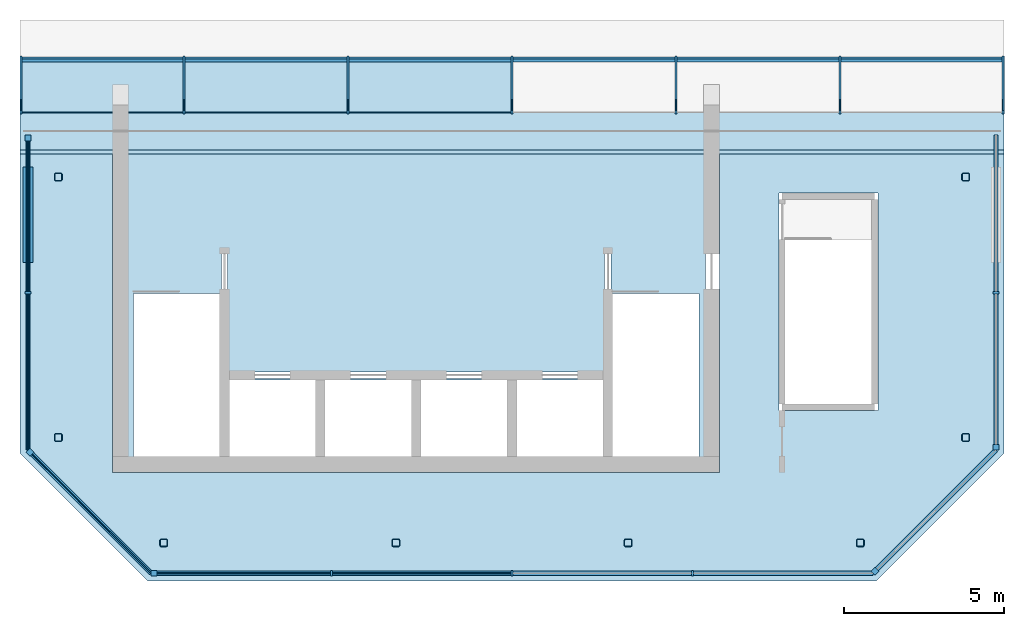
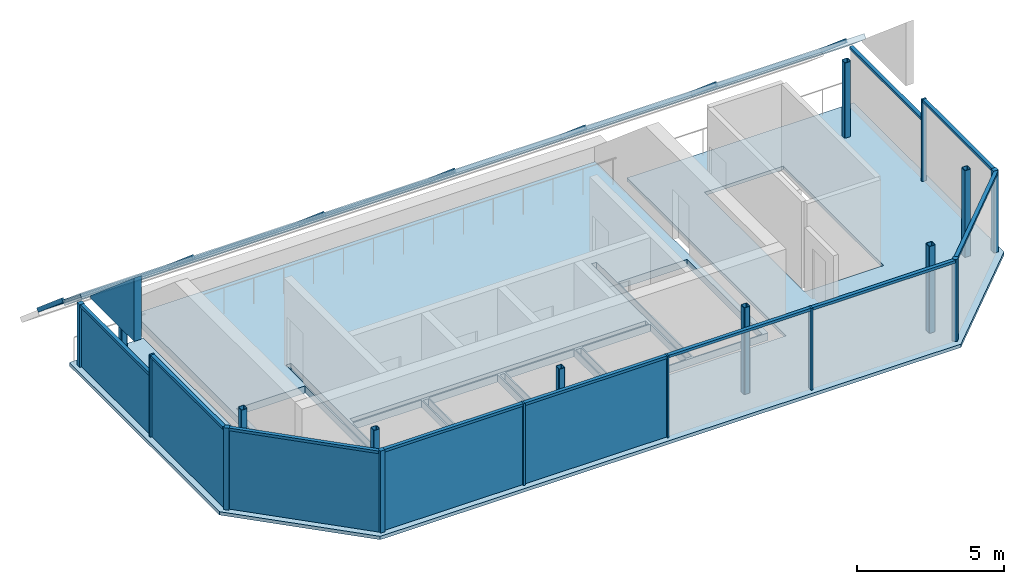
# One storey, part 1 of 3: 33 members, 9 plates, 8 columns, 3 slabs, 6 elements without a shape of their own.
"""IFC4 building model written with IfcOpenShell, lengths in metres."""

from ifc_helpers import new_model, si_unit, direction, frame, origin, origin_2d, place, context, subcontext, project, spatial, polyline, rectangle, hollow_rectangle, outline, extrude, material, layer, layer_set, material_profile, profile_set, type_object, element, aggregate, save


model = new_model("IFC4")

# Units and contexts
model_context = context("Model", 3, precision=1e-05, world=origin(), true_north=direction((0.0, 1.0)))
body_context = subcontext(model_context, "Body", "Model", "MODEL_VIEW")
ifc_project = project(units=[si_unit("LENGTHUNIT", "METRE"), si_unit("AREAUNIT", "SQUARE_METRE"), si_unit("VOLUMEUNIT", "CUBIC_METRE"), si_unit("PLANEANGLEUNIT", "RADIAN"), si_unit("MASSUNIT", "GRAM", prefix="KILO")], contexts=[model_context])

# Site, building, storey
site_placement = place(None, origin())
site = spatial("IfcSite", under=ifc_project, at=site_placement, CompositionType="ELEMENT")
building_placement = place(site_placement, origin())
building = spatial("IfcBuilding", under=site, at=building_placement, Name="Tskaro Facet Tower", CompositionType="ELEMENT")
storey_placement = place(building_placement, frame((0.0, 0.0, 311.699951171875)))
storey = spatial("IfcBuildingStorey", under=building, at=storey_placement, Name="L84", CompositionType="ELEMENT", Elevation=311.699951171875)

# Columns
ifc_material_1 = material(Name="Steel S355J2H", Category="steel")
ifc_material_profile_1 = material_profile(ifc_material_1, hollow_rectangle(XDim=0.25, YDim=0.25, WallThickness=0.02001953125, InnerFilletRadius=0.030029296875, OuterFilletRadius=0.050048828125, at=origin_2d()), Name="SHS 250x250x20")
ifc_profile_set_1 = profile_set([ifc_material_profile_1], Name="Steel S355J2H")
column_type = type_object("IfcColumnType", Name="SHS 250x250x20 ring column", PredefinedType="COLUMN", material=ifc_profile_set_1)
for number, where, z_axis, x_axis, name in (
    (1, (-7.903076171875, -14.199951171875, 0.0), (0.0, 0.0, 1.0), (1.0, 0.0, 0.0), "SHS 250x250x20 RS-1/6"),
    (2, (-0.634033203125, -14.199951171875, 0.0), (0.0, 0.0, 1.0), (1.0, 0.0, 0.0), "SHS 250x250x20 RS-2/6"),
    (3, (6.634033203125, -14.199951171875, 0.0), (0.0, 0.0, 1.0), (1.0, 0.0, 0.0), "SHS 250x250x20 RS-3/6"),
    (4, (13.903076171875, -14.199951171875, 0.0), (0.0, 0.0, 1.0), (1.0, 0.0, 0.0), "SHS 250x250x20 RSE-1/6"),
    (5, (17.199951171875, -10.903076171875, 0.0), (0.0, 0.0, 1.0), (1.0, 0.0, 0.0), "SHS 250x250x20 RE-1/6"),
):
    element("IfcColumn", number, at=place(storey_placement, frame(where, z_axis=z_axis, x_axis=x_axis)), inside=storey, type_object=column_type, Name=name, PredefinedType="COLUMN", context=body_context, shape_type="SweptSolid", body=[
        extrude(hollow_rectangle(XDim=0.25, YDim=0.25, WallThickness=0.02001953125, InnerFilletRadius=0.030029296875, OuterFilletRadius=0.050048828125, at=origin_2d()), origin(), (0.0, 0.0, 1.0), 3.60009765625),
    ])
for number, where, z_axis, x_axis, name in (
    (6, (17.199951171875, -2.75, 0.0), (0.0, 0.0, 1.0), (1.0, 0.0, 0.0), "SHS 250x250x20 RE-2/6"),
    (7, (-11.199951171875, -2.75, 0.0), (0.0, 0.0, 1.0), (1.0, 0.0, 0.0), "SHS 250x250x20 RW-2/6"),
):
    element("IfcColumn", number, at=place(storey_placement, frame(where, z_axis=z_axis, x_axis=x_axis)), inside=storey, type_object=column_type, Name=name, PredefinedType="COLUMN", context=body_context, shape_type="SweptSolid", body=[
        extrude(hollow_rectangle(XDim=0.25, YDim=0.25, WallThickness=0.02001953125, InnerFilletRadius=0.030029296875, OuterFilletRadius=0.050048828125, at=origin_2d()), origin(), (0.0, 0.0, 1.0), 3.1220703125),
    ])
column_placement = place(storey_placement, frame((-11.199951171875, -10.903076171875, 0.0), z_axis=(0.0, 0.0, 1.0), x_axis=(1.0, 0.0, 0.0)))
element("IfcColumn", 8, at=column_placement, inside=storey, type_object=column_type, Name="SHS 250x250x20 RSW-1/6", PredefinedType="COLUMN", context=body_context, shape_type="SweptSolid", body=[
    extrude(hollow_rectangle(XDim=0.25, YDim=0.25, WallThickness=0.02001953125, InnerFilletRadius=0.030029296875, OuterFilletRadius=0.050048828125, at=origin_2d()), origin(), (0.0, 0.0, 1.0), 3.60009765625),
])

# Curtain wall, member
ifc_material_2 = material(Name="Bronze anodised aluminium 6063-T6", Category="aluminium")
curtain_wall_type_1 = type_object("IfcCurtainWallType", Name="Bronze crown curtain wall (FW5)", PredefinedType="NOTDEFINED", material=ifc_material_2)
curtain_wall_1_placement = place(storey_placement, origin())
curtain_wall_1 = element("IfcCurtainWall", 9, at=curtain_wall_1_placement, inside=storey, type_object=curtain_wall_type_1, Name="FW5 south facet L84", PredefinedType="NOTDEFINED")
ifc_material_profile_2 = material_profile(ifc_material_2, rectangle(XDim=0.179931640625, YDim=0.179931640625, at=origin_2d()), Name="Corner post 180x180")
ifc_profile_set_2 = profile_set([ifc_material_profile_2], Name="Bronze anodised aluminium 6063-T6")
member_type_1 = type_object("IfcMemberType", Name="FW5 bronze corner post 180x180", PredefinedType="MULLION", material=ifc_profile_set_2)
member_1_placement = place(storey_placement, frame((-8.2060546875, -15.14990234375, 0.0), z_axis=(0.0, 0.0, 1.0), x_axis=(1.0, 0.0, 0.0)))
member_1 = element("IfcMember", 10, at=member_1_placement, type_object=member_type_1, Name="FW5 south corner post", PredefinedType="MULLION", context=body_context, shape_type="SweptSolid", body=[
    extrude(rectangle(XDim=0.179931640625, YDim=0.179931640625, at=origin_2d()), origin(), (0.0, 0.0, 1.0), 3.400146484375),
])

curtain_wall_2_placement = place(storey_placement, origin())
curtain_wall_2 = element("IfcCurtainWall", 11, at=curtain_wall_2_placement, inside=storey, type_object=curtain_wall_type_1, Name="FW5 south-east facet L84", PredefinedType="NOTDEFINED")
member_2_placement = place(storey_placement, frame((14.359619140625, -15.08642578125, 0.0), z_axis=(0.0, 0.0, 1.0), x_axis=(0.707106781187, 0.707106781187, 0.0)))
member_2 = element("IfcMember", 12, at=member_2_placement, type_object=member_type_1, Name="FW5 south-east corner post", PredefinedType="MULLION", context=body_context, shape_type="SweptSolid", body=[
    extrude(rectangle(XDim=0.179931640625, YDim=0.179931640625, at=origin_2d()), origin(), (0.0, 0.0, 1.0), 3.400146484375),
])

curtain_wall_3_placement = place(storey_placement, origin())
curtain_wall_3 = element("IfcCurtainWall", 13, at=curtain_wall_3_placement, inside=storey, type_object=curtain_wall_type_1, Name="FW5 east facet L84", PredefinedType="NOTDEFINED")
member_3_placement = place(storey_placement, frame((18.14990234375, -11.2060546875, 0.0), z_axis=(0.0, 0.0, 1.0), x_axis=(0.0, 1.0, 0.0)))
member_3 = element("IfcMember", 14, at=member_3_placement, type_object=member_type_1, Name="FW5 east corner post", PredefinedType="MULLION", context=body_context, shape_type="SweptSolid", body=[
    extrude(rectangle(XDim=0.179931640625, YDim=0.179931640625, at=origin_2d()), origin(), (0.0, 0.0, 1.0), 3.400146484375),
])

curtain_wall_4_placement = place(storey_placement, origin())
curtain_wall_4 = element("IfcCurtainWall", 15, at=curtain_wall_4_placement, inside=storey, type_object=curtain_wall_type_1, Name="FW5 west facet L84", PredefinedType="NOTDEFINED")
member_4_placement = place(storey_placement, frame((-12.14990234375, -1.528076171875, 0.0), z_axis=(0.0, 0.0, 1.0), x_axis=(0.0, -1.0, 0.0)))
member_4 = element("IfcMember", 16, at=member_4_placement, type_object=member_type_1, Name="FW5 west corner post", PredefinedType="MULLION", context=body_context, shape_type="SweptSolid", body=[
    extrude(rectangle(XDim=0.179931640625, YDim=0.179931640625, at=origin_2d()), origin(), (0.0, 0.0, 1.0), 2.599853515625),
])

curtain_wall_5_placement = place(storey_placement, origin())
curtain_wall_5 = element("IfcCurtainWall", 17, at=curtain_wall_5_placement, inside=storey, type_object=curtain_wall_type_1, Name="FW5 south-west facet L84", PredefinedType="NOTDEFINED")
member_5_placement = place(storey_placement, frame((-12.08642578125, -11.359619140625, 0.0), z_axis=(0.0, 0.0, 1.0), x_axis=(0.707106781187, -0.707106781187, 0.0)))
member_5 = element("IfcMember", 18, at=member_5_placement, type_object=member_type_1, Name="FW5 south-west corner post", PredefinedType="MULLION", context=body_context, shape_type="SweptSolid", body=[
    extrude(rectangle(XDim=0.179931640625, YDim=0.179931640625, at=origin_2d()), origin(), (0.0, 0.0, 1.0), 3.400146484375),
])

# Member
ifc_material_profile_3 = material_profile(ifc_material_2, rectangle(XDim=0.070068359375, YDim=0.179931640625, at=origin_2d()), Name="Mullion 70x180")
ifc_profile_set_3 = profile_set([ifc_material_profile_3], Name="Bronze anodised aluminium 6063-T6")
member_type_2 = type_object("IfcMemberType", Name="FW5 bronze mullion 70x180", PredefinedType="MULLION", material=ifc_profile_set_3)
member_6_placement = place(storey_placement, frame((-2.64794921875, -15.14990234375, 0.0), z_axis=(0.0, 0.0, 1.0), x_axis=(1.0, 0.0, 0.0)))
member_6 = element("IfcMember", 19, at=member_6_placement, type_object=member_type_2, Name="FW5 south mullion 1", PredefinedType="MULLION", context=body_context, shape_type="SweptSolid", body=[
    extrude(rectangle(XDim=0.070068359375, YDim=0.179931640625, at=origin_2d()), origin(), (0.0, 0.0, 1.0), 3.400146484375),
])

member_7_placement = place(storey_placement, frame((3.0, -15.14990234375, 0.0), z_axis=(0.0, 0.0, 1.0), x_axis=(1.0, 0.0, 0.0)))
member_7 = element("IfcMember", 20, at=member_7_placement, type_object=member_type_2, Name="FW5 south mullion 2", PredefinedType="MULLION", context=body_context, shape_type="SweptSolid", body=[
    extrude(rectangle(XDim=0.070068359375, YDim=0.179931640625, at=origin_2d()), origin(), (0.0, 0.0, 1.0), 3.400146484375),
])

member_8_placement = place(storey_placement, frame((8.64794921875, -15.14990234375, 0.0), z_axis=(0.0, 0.0, 1.0), x_axis=(1.0, 0.0, 0.0)))
member_8 = element("IfcMember", 21, at=member_8_placement, type_object=member_type_2, Name="FW5 south mullion 3", PredefinedType="MULLION", context=body_context, shape_type="SweptSolid", body=[
    extrude(rectangle(XDim=0.070068359375, YDim=0.179931640625, at=origin_2d()), origin(), (0.0, 0.0, 1.0), 3.400146484375),
])

member_9_placement = place(storey_placement, frame((18.14990234375, -6.366943359375, 0.0), z_axis=(0.0, 0.0, 1.0), x_axis=(0.0, 1.0, 0.0)))
member_9 = element("IfcMember", 22, at=member_9_placement, type_object=member_type_2, Name="FW5 east mullion 1", PredefinedType="MULLION", context=body_context, shape_type="SweptSolid", body=[
    extrude(rectangle(XDim=0.070068359375, YDim=0.179931640625, at=origin_2d()), origin(), (0.0, 0.0, 1.0), 3.400146484375),
])

member_10_placement = place(storey_placement, frame((-12.14990234375, -6.366943359375, 0.0), z_axis=(0.0, 0.0, 1.0), x_axis=(0.0, -1.0, 0.0)))
member_10 = element("IfcMember", 23, at=member_10_placement, type_object=member_type_2, Name="FW5 west mullion 1", PredefinedType="MULLION", context=body_context, shape_type="SweptSolid", body=[
    extrude(rectangle(XDim=0.070068359375, YDim=0.179931640625, at=origin_2d()), origin(), (0.0, 0.0, 1.0), 3.400146484375),
])

ifc_material_profile_4 = material_profile(ifc_material_2, rectangle(XDim=0.139892578125, YDim=0.110107421875, at=origin_2d()), Name="Transom 140x110")
ifc_profile_set_4 = profile_set([ifc_material_profile_4], Name="Bronze anodised aluminium 6063-T6")
member_type_3 = type_object("IfcMemberType", Name="FW5 bronze transom 140x110", PredefinedType="USERDEFINED", material=ifc_profile_set_4)
member_11_placement = place(storey_placement, frame((-8.115966796875, -15.14990234375, 3.344970703125), z_axis=(1.0, 0.0, 0.0), x_axis=(0.0, 1.0, 0.0)))
member_11 = element("IfcMember", 24, at=member_11_placement, type_object=member_type_3, Name="FW5 south transom 1.1", ObjectType="TRANSOM", PredefinedType="USERDEFINED", context=body_context, shape_type="SweptSolid", body=[
    extrude(rectangle(XDim=0.139892578125, YDim=0.110107421875, at=origin_2d()), origin(), (0.0, 0.0, 1.0), 5.432861328125),
])

member_12_placement = place(storey_placement, frame((-2.613037109375, -15.14990234375, 3.344970703125), z_axis=(1.0, 0.0, 0.0), x_axis=(0.0, 1.0, 0.0)))
member_12 = element("IfcMember", 25, at=member_12_placement, type_object=member_type_3, Name="FW5 south transom 2.1", ObjectType="TRANSOM", PredefinedType="USERDEFINED", context=body_context, shape_type="SweptSolid", body=[
    extrude(rectangle(XDim=0.139892578125, YDim=0.110107421875, at=origin_2d()), origin(), (0.0, 0.0, 1.0), 5.578125),
])

member_13_placement = place(storey_placement, frame((3.034912109375, -15.14990234375, 3.344970703125), z_axis=(1.0, 0.0, 0.0), x_axis=(0.0, 1.0, 0.0)))
member_13 = element("IfcMember", 26, at=member_13_placement, type_object=member_type_3, Name="FW5 south transom 3.1", ObjectType="TRANSOM", PredefinedType="USERDEFINED", context=body_context, shape_type="SweptSolid", body=[
    extrude(rectangle(XDim=0.139892578125, YDim=0.110107421875, at=origin_2d()), origin(), (0.0, 0.0, 1.0), 5.578125),
])

member_14_placement = place(storey_placement, frame((8.68310546875, -15.14990234375, 3.344970703125), z_axis=(1.0, 0.0, 0.0), x_axis=(0.0, 1.0, 0.0)))
member_14 = element("IfcMember", 27, at=member_14_placement, type_object=member_type_3, Name="FW5 south transom 4.1", ObjectType="TRANSOM", PredefinedType="USERDEFINED", context=body_context, shape_type="SweptSolid", body=[
    extrude(rectangle(XDim=0.139892578125, YDim=0.110107421875, at=origin_2d()), origin(), (0.0, 0.0, 1.0), 5.61279296875),
])

member_15_placement = place(storey_placement, frame((14.42333984375, -15.022705078125, 3.344970703125), z_axis=(0.707083619001, 0.707129942613, 0.0), x_axis=(-0.707129942613, 0.707083619001, 0.0)))
member_15 = element("IfcMember", 28, at=member_15_placement, type_object=member_type_3, Name="FW5 south-east transom 1.1", ObjectType="TRANSOM", PredefinedType="USERDEFINED", context=body_context, shape_type="SweptSolid", body=[
    extrude(rectangle(XDim=0.139892578125, YDim=0.110107421875, at=origin_2d()), origin(), (0.0, 0.0, 1.0), 5.270263671875),
])

aggregate(curtain_wall_2, [member_2, member_15])

member_16_placement = place(storey_placement, frame((18.14990234375, -11.115966796875, 3.344970703125), z_axis=(0.0, 1.0, 0.0), x_axis=(-1.0, 0.0, 0.0)))
member_16 = element("IfcMember", 29, at=member_16_placement, type_object=member_type_3, Name="FW5 east transom 1.1", ObjectType="TRANSOM", PredefinedType="USERDEFINED", context=body_context, shape_type="SweptSolid", body=[
    extrude(rectangle(XDim=0.139892578125, YDim=0.110107421875, at=origin_2d()), origin(), (0.0, 0.0, 1.0), 4.7138671875),
])

member_17_placement = place(storey_placement, frame((18.14990234375, -6.33203125, 2.544921875), z_axis=(0.0, 1.0, 0.0), x_axis=(-1.0, 0.0, 0.0)))
member_17 = element("IfcMember", 30, at=member_17_placement, type_object=member_type_3, Name="FW5 east transom 2.1", ObjectType="TRANSOM", PredefinedType="USERDEFINED", context=body_context, shape_type="SweptSolid", body=[
    extrude(rectangle(XDim=0.139892578125, YDim=0.110107421875, at=origin_2d()), origin(), (0.0, 0.0, 1.0), 4.89404296875),
])

aggregate(curtain_wall_3, [member_3, member_9, member_16, member_17])

member_18_placement = place(storey_placement, frame((-12.14990234375, -1.617919921875, 2.544921875), z_axis=(0.0, -1.0, 0.0), x_axis=(1.0, 0.0, 0.0)))
member_18 = element("IfcMember", 31, at=member_18_placement, type_object=member_type_3, Name="FW5 west transom 1.1", ObjectType="TRANSOM", PredefinedType="USERDEFINED", context=body_context, shape_type="SweptSolid", body=[
    extrude(rectangle(XDim=0.139892578125, YDim=0.110107421875, at=origin_2d()), origin(), (0.0, 0.0, 1.0), 4.714111328125),
])

member_19_placement = place(storey_placement, frame((-12.14990234375, -6.402099609375, 3.344970703125), z_axis=(0.0, -1.0, 0.0), x_axis=(1.0, 0.0, 0.0)))
member_19 = element("IfcMember", 32, at=member_19_placement, type_object=member_type_3, Name="FW5 west transom 2.1", ObjectType="TRANSOM", PredefinedType="USERDEFINED", context=body_context, shape_type="SweptSolid", body=[
    extrude(rectangle(XDim=0.139892578125, YDim=0.110107421875, at=origin_2d()), origin(), (0.0, 0.0, 1.0), 4.893798828125),
])

member_20_placement = place(storey_placement, frame((-12.022705078125, -11.42333984375, 3.344970703125), z_axis=(0.707129942613, -0.707083619001, 0.0), x_axis=(0.707083619001, 0.707129942613, 0.0)))
member_20 = element("IfcMember", 33, at=member_20_placement, type_object=member_type_3, Name="FW5 south-west transom 1.1", ObjectType="TRANSOM", PredefinedType="USERDEFINED", context=body_context, shape_type="SweptSolid", body=[
    extrude(rectangle(XDim=0.139892578125, YDim=0.110107421875, at=origin_2d()), origin(), (0.0, 0.0, 1.0), 5.270263671875),
])

# Curtain wall, members
curtain_wall_type_2 = type_object("IfcCurtainWallType", Name="Bronze crown roof glazing (FW6)", PredefinedType="NOTDEFINED", material=ifc_material_2)
curtain_wall_6_placement = place(storey_placement, origin())
curtain_wall_6 = element("IfcCurtainWall", 34, at=curtain_wall_6_placement, inside=storey, type_object=curtain_wall_type_2, Name="FW6 roof glazing strip 4", PredefinedType="NOTDEFINED")
ifc_material_profile_5 = material_profile(ifc_material_2, rectangle(XDim=0.06005859375, YDim=0.159912109375, at=origin_2d()), Name="Mullion 60x160")
ifc_profile_set_5 = profile_set([ifc_material_profile_5], Name="Bronze anodised aluminium 6063-T6")
member_type_4 = type_object("IfcMemberType", Name="FW6 bronze mullion 60x160", PredefinedType="MULLION", material=ifc_profile_set_5)
member_21_placement = place(storey_placement, frame((-12.3701171875, -0.716552734375, 2.29931640625), z_axis=(0.0, 0.761915018562, -0.6476770063), x_axis=(-1.0, 0.0, 0.0)))
member_21 = element("IfcMember", 35, at=member_21_placement, type_object=member_type_4, Name="FW6 roof mullion 4.1", PredefinedType="MULLION", context=body_context, shape_type="SweptSolid", body=[
    extrude(rectangle(XDim=0.06005859375, YDim=0.159912109375, at=origin_2d()), origin(), (0.0, 0.0, 1.0), 2.231201171875),
])
member_22_placement = place(storey_placement, frame((-7.2666015625, -0.716552734375, 2.29931640625), z_axis=(0.0, 0.761915018562, -0.6476770063), x_axis=(-1.0, 0.0, 0.0)))
member_22 = element("IfcMember", 36, at=member_22_placement, type_object=member_type_4, Name="FW6 roof mullion 4.2", PredefinedType="MULLION", context=body_context, shape_type="SweptSolid", body=[
    extrude(rectangle(XDim=0.06005859375, YDim=0.159912109375, at=origin_2d()), origin(), (0.0, 0.0, 1.0), 2.231201171875),
])
member_23_placement = place(storey_placement, frame((-2.13330078125, -0.716552734375, 2.29931640625), z_axis=(0.0, 0.761915018562, -0.6476770063), x_axis=(-1.0, 0.0, 0.0)))
member_23 = element("IfcMember", 37, at=member_23_placement, type_object=member_type_4, Name="FW6 roof mullion 4.3", PredefinedType="MULLION", context=body_context, shape_type="SweptSolid", body=[
    extrude(rectangle(XDim=0.06005859375, YDim=0.159912109375, at=origin_2d()), origin(), (0.0, 0.0, 1.0), 2.231201171875),
])
member_24_placement = place(storey_placement, frame((3.0, -0.716552734375, 2.29931640625), z_axis=(0.0, 0.761915018562, -0.6476770063), x_axis=(-1.0, 0.0, 0.0)))
member_24 = element("IfcMember", 38, at=member_24_placement, type_object=member_type_4, Name="FW6 roof mullion 4.4", PredefinedType="MULLION", context=body_context, shape_type="SweptSolid", body=[
    extrude(rectangle(XDim=0.06005859375, YDim=0.159912109375, at=origin_2d()), origin(), (0.0, 0.0, 1.0), 2.231201171875),
])
member_25_placement = place(storey_placement, frame((8.13330078125, -0.716552734375, 2.29931640625), z_axis=(0.0, 0.761915018562, -0.6476770063), x_axis=(-1.0, 0.0, 0.0)))
member_25 = element("IfcMember", 39, at=member_25_placement, type_object=member_type_4, Name="FW6 roof mullion 4.5", PredefinedType="MULLION", context=body_context, shape_type="SweptSolid", body=[
    extrude(rectangle(XDim=0.06005859375, YDim=0.159912109375, at=origin_2d()), origin(), (0.0, 0.0, 1.0), 2.231201171875),
])
member_26_placement = place(storey_placement, frame((13.2666015625, -0.716552734375, 2.29931640625), z_axis=(0.0, 0.761915018562, -0.6476770063), x_axis=(-1.0, 0.0, 0.0)))
member_26 = element("IfcMember", 40, at=member_26_placement, type_object=member_type_4, Name="FW6 roof mullion 4.6", PredefinedType="MULLION", context=body_context, shape_type="SweptSolid", body=[
    extrude(rectangle(XDim=0.06005859375, YDim=0.159912109375, at=origin_2d()), origin(), (0.0, 0.0, 1.0), 2.231201171875),
])
member_27_placement = place(storey_placement, frame((18.3701171875, -0.716552734375, 2.29931640625), z_axis=(0.0, 0.761915018562, -0.6476770063), x_axis=(-1.0, 0.0, 0.0)))
member_27 = element("IfcMember", 41, at=member_27_placement, type_object=member_type_4, Name="FW6 roof mullion 4.7", PredefinedType="MULLION", context=body_context, shape_type="SweptSolid", body=[
    extrude(rectangle(XDim=0.06005859375, YDim=0.159912109375, at=origin_2d()), origin(), (0.0, 0.0, 1.0), 2.231201171875),
])
ifc_material_profile_6 = material_profile(ifc_material_2, rectangle(XDim=0.1201171875, YDim=0.10009765625, at=origin_2d()), Name="Transom 120x100")
ifc_profile_set_6 = profile_set([ifc_material_profile_6], Name="Bronze anodised aluminium 6063-T6")
member_type_5 = type_object("IfcMemberType", Name="FW6 bronze transom 120x100", PredefinedType="USERDEFINED", material=ifc_profile_set_6)
member_28_placement = place(storey_placement, frame((-12.3701171875, 0.9375, 0.89306640625), z_axis=(1.0, 0.0, 0.0), x_axis=(0.0, 0.761939317761, 0.647648420094)))
member_28 = element("IfcMember", 42, at=member_28_placement, type_object=member_type_5, Name="FW6 roof transom 4.1", ObjectType="TRANSOM", PredefinedType="USERDEFINED", context=body_context, shape_type="SweptSolid", body=[
    extrude(rectangle(XDim=0.1201171875, YDim=0.10009765625, at=origin_2d()), origin(), (0.0, 0.0, 1.0), 5.073486328125),
])
member_29_placement = place(storey_placement, frame((-7.236572265625, 0.9375, 0.89306640625), z_axis=(1.0, 0.0, 0.0), x_axis=(0.0, 0.761939317761, 0.647648420094)))
member_29 = element("IfcMember", 43, at=member_29_placement, type_object=member_type_5, Name="FW6 roof transom 4.2", ObjectType="TRANSOM", PredefinedType="USERDEFINED", context=body_context, shape_type="SweptSolid", body=[
    extrude(rectangle(XDim=0.1201171875, YDim=0.10009765625, at=origin_2d()), origin(), (0.0, 0.0, 1.0), 5.0732421875),
])
member_30_placement = place(storey_placement, frame((-2.103271484375, 0.9375, 0.89306640625), z_axis=(1.0, 0.0, 0.0), x_axis=(0.0, 0.761939317761, 0.647648420094)))
member_30 = element("IfcMember", 44, at=member_30_placement, type_object=member_type_5, Name="FW6 roof transom 4.3", ObjectType="TRANSOM", PredefinedType="USERDEFINED", context=body_context, shape_type="SweptSolid", body=[
    extrude(rectangle(XDim=0.1201171875, YDim=0.10009765625, at=origin_2d()), origin(), (0.0, 0.0, 1.0), 5.0732421875),
])
member_31_placement = place(storey_placement, frame((3.030029296875, 0.9375, 0.89306640625), z_axis=(1.0, 0.0, 0.0), x_axis=(0.0, 0.761939317761, 0.647648420094)))
member_31 = element("IfcMember", 45, at=member_31_placement, type_object=member_type_5, Name="FW6 roof transom 4.4", ObjectType="TRANSOM", PredefinedType="USERDEFINED", context=body_context, shape_type="SweptSolid", body=[
    extrude(rectangle(XDim=0.1201171875, YDim=0.10009765625, at=origin_2d()), origin(), (0.0, 0.0, 1.0), 5.0732421875),
])
member_32_placement = place(storey_placement, frame((8.163330078125, 0.9375, 0.89306640625), z_axis=(1.0, 0.0, 0.0), x_axis=(0.0, 0.761939317761, 0.647648420094)))
member_32 = element("IfcMember", 46, at=member_32_placement, type_object=member_type_5, Name="FW6 roof transom 4.5", ObjectType="TRANSOM", PredefinedType="USERDEFINED", context=body_context, shape_type="SweptSolid", body=[
    extrude(rectangle(XDim=0.1201171875, YDim=0.10009765625, at=origin_2d()), origin(), (0.0, 0.0, 1.0), 5.0732421875),
])
member_33_placement = place(storey_placement, frame((13.296630859375, 0.9375, 0.89306640625), z_axis=(1.0, 0.0, 0.0), x_axis=(0.0, 0.761939317761, 0.647648420094)))
member_33 = element("IfcMember", 47, at=member_33_placement, type_object=member_type_5, Name="FW6 roof transom 4.6", ObjectType="TRANSOM", PredefinedType="USERDEFINED", context=body_context, shape_type="SweptSolid", body=[
    extrude(rectangle(XDim=0.1201171875, YDim=0.10009765625, at=origin_2d()), origin(), (0.0, 0.0, 1.0), 5.073486328125),
])

# Slab
ifc_material_3 = material(Name="Concrete C30/37", Category="concrete")
ifc_layer_1 = layer(ifc_material_3, 0.139892578125, Name="Concrete C30/37")
ifc_layer_set_1 = layer_set([ifc_layer_1], Name="Concrete C30/37")
slab_type_1 = type_object("IfcSlabType", Name="Composite deck floor slab", PredefinedType="FLOOR", material=ifc_layer_set_1)
slab_1_placement = place(storey_placement, frame((0.0, 0.0, -0.139892578125)))
element("IfcSlab", 48, at=slab_1_placement, inside=storey, type_object=slab_type_1, Name="Floor slab L84", PredefinedType="FLOOR", context=body_context, shape_type="SweptSolid", body=[
    extrude(outline(polyline([(18.39990234375, -11.39990234375), (14.39990234375, -15.39990234375), (-8.39990234375, -15.39990234375), (-12.39990234375, -11.39990234375), (-12.39990234375, -1.18798828125), (-9.5, -1.18798828125), (-9.5, -12.0), (9.5, -12.0), (9.5, -1.18798828125), (18.39990234375, -1.18798828125), (18.39990234375, -11.39990234375)]), holes=[polyline([(14.449951171875, -10.050048828125), (14.449951171875, -3.25), (11.35009765625, -3.25), (11.35009765625, -10.050048828125), (14.449951171875, -10.050048828125)])]), origin(), (0.0, 0.0, 1.0), 0.139892578125),
])

# Plate
ifc_material_4 = material(Name="Bronze anodised aluminium cladding 5005-H34", Category="aluminium")
ifc_layer_2 = layer(ifc_material_4, 0.300048828125, Name="Bronze anodised aluminium cladding 5005-H34")
ifc_layer_set_2 = layer_set([ifc_layer_2], Name="Bronze anodised aluminium cladding 5005-H34")
plate_type_1 = type_object("IfcPlateType", Name="Crown cladding panel", PredefinedType="SHEET", material=ifc_layer_set_2)
plate_1_placement = place(storey_placement, frame((-12.14990234375, -2.438232421875, 3.400146484375), z_axis=(0.0, 0.0, 1.0), x_axis=(0.0, -1.0, 0.0)))
element("IfcPlate", 49, at=plate_1_placement, inside=storey, type_object=plate_type_1, Name="Crown cladding panel west L84", PredefinedType="SHEET", context=body_context, shape_type="SweptSolid", body=[
    extrude(outline(polyline([(0.0, 0.0), (2.980224609375, 0.0), (2.980224609375, 2.633056640625), (0.0, 0.099853515625), (0.0, 0.0)])), frame((0.0, 0.14990234375, 0.0), z_axis=(0.0, -1.0, 0.0), x_axis=(1.0, 0.0, 0.0)), (0.0, 0.0, 1.0), 0.300048828125),
])

# Slab
ifc_layer_3 = layer(ifc_material_4, 0.199951171875, Name="Bronze anodised aluminium cladding 5005-H34")
ifc_layer_set_3 = layer_set([ifc_layer_3], Name="Bronze anodised aluminium cladding 5005-H34")
slab_type_2 = type_object("IfcSlabType", Name="Crown roof cladding panel", PredefinedType="ROOF", material=ifc_layer_set_3)
slab_2_placement = place(storey_placement, frame((18.39990234375, -1.89990234375, 3.304931640625), z_axis=(0.0, 0.647561708985, 0.762013013705), x_axis=(-1.0, 0.0, 0.0)))
element("IfcSlab", 50, at=slab_2_placement, inside=storey, type_object=slab_type_2, Name="Crown roof cladding 4", PredefinedType="ROOF", context=body_context, shape_type="SweptSolid", body=[
    extrude(outline(polyline([(0.0, 0.0), (30.7998046875, 0.0), (30.7998046875, -1.552925721860209), (0.0, -1.552925721860209), (0.0, 0.0)])), origin(), (0.0, 0.0, -1.0), 0.199951171875),
])

# Plate
ifc_material_5 = material(Name="Bronze reflective glass", Category="glass")
ifc_layer_4 = layer(ifc_material_5, 0.033935546875, Name="Bronze reflective glass")
ifc_layer_set_4 = layer_set([ifc_layer_4], Name="Bronze reflective glass")
plate_type_2 = type_object("IfcPlateType", Name="FW5 bronze-tinted unit glazing 34", PredefinedType="CURTAIN_PANEL", material=ifc_layer_set_4)
plate_2_placement = place(storey_placement, frame((-5.3994140625, -15.14990234375, 0.0), z_axis=(0.0, 0.0, 1.0), x_axis=(1.0, 0.0, 0.0)))
plate_2 = element("IfcPlate", 51, at=plate_2_placement, type_object=plate_type_2, Name="FW5 south glazing 1.1", PredefinedType="CURTAIN_PANEL", context=body_context, shape_type="SweptSolid", body=[
    extrude(rectangle(XDim=5.43310546875, YDim=0.033935546875, at=origin_2d()), origin(), (0.0, 0.0, 1.0), 3.2900390625),
])

plate_3_placement = place(storey_placement, frame((0.176025390625, -15.14990234375, 0.0), z_axis=(0.0, 0.0, 1.0), x_axis=(1.0, 0.0, 0.0)))
plate_3 = element("IfcPlate", 52, at=plate_3_placement, type_object=plate_type_2, Name="FW5 south glazing 2.1", PredefinedType="CURTAIN_PANEL", context=body_context, shape_type="SweptSolid", body=[
    extrude(rectangle(XDim=5.577880859375, YDim=0.033935546875, at=origin_2d()), origin(), (0.0, 0.0, 1.0), 3.2900390625),
])

aggregate(curtain_wall_1, [member_1, member_6, member_7, member_8, member_11, plate_2, member_12, plate_3, member_13, member_14])

plate_4_placement = place(storey_placement, frame((-12.14990234375, -3.97509765625, 0.0), z_axis=(0.0, 0.0, 1.0), x_axis=(0.0, -1.0, 0.0)))
plate_4 = element("IfcPlate", 53, at=plate_4_placement, type_object=plate_type_2, Name="FW5 west glazing 1.1", PredefinedType="CURTAIN_PANEL", context=body_context, shape_type="SweptSolid", body=[
    extrude(rectangle(XDim=4.714111328125, YDim=0.033935546875, at=origin_2d()), origin(), (0.0, 0.0, 1.0), 2.48974609375),
])

plate_5_placement = place(storey_placement, frame((-12.14990234375, -8.84912109375, 0.0), z_axis=(0.0, 0.0, 1.0), x_axis=(0.0, -1.0, 0.0)))
plate_5 = element("IfcPlate", 54, at=plate_5_placement, type_object=plate_type_2, Name="FW5 west glazing 2.1", PredefinedType="CURTAIN_PANEL", context=body_context, shape_type="SweptSolid", body=[
    extrude(rectangle(XDim=4.89404296875, YDim=0.033935546875, at=origin_2d()), origin(), (0.0, 0.0, 1.0), 3.2900390625),
])

aggregate(curtain_wall_4, [member_4, member_10, member_18, plate_4, member_19, plate_5])

plate_6_placement = place(storey_placement, frame((-10.159423828125, -13.28662109375, 0.0), z_axis=(0.0, 0.0, 1.0), x_axis=(0.707106781187, -0.707106781187, 0.0)))
plate_6 = element("IfcPlate", 55, at=plate_6_placement, type_object=plate_type_2, Name="FW5 south-west glazing 1.1", PredefinedType="CURTAIN_PANEL", context=body_context, shape_type="SweptSolid", body=[
    extrude(rectangle(XDim=5.270263671875, YDim=0.033935546875, at=origin_2d()), origin(), (0.0, 0.0, 1.0), 3.2900390625),
])

aggregate(curtain_wall_5, [member_5, member_20, plate_6])

ifc_layer_5 = layer(ifc_material_5, 0.0400390625, Name="Bronze reflective glass")
ifc_layer_set_5 = layer_set([ifc_layer_5], Name="Bronze reflective glass")
plate_type_3 = type_object("IfcPlateType", Name="FW6 bronze-tinted unit glazing 40", PredefinedType="CURTAIN_PANEL", material=ifc_layer_set_5)
plate_7_placement = place(storey_placement, frame((-12.3701171875, -0.716552734375, 2.29931640625), z_axis=(0.0, 0.647728982099, 0.76187083272), x_axis=(1.0, 0.0, 0.0)))
plate_7 = element("IfcPlate", 56, at=plate_7_placement, type_object=plate_type_3, Name="FW6 roof glazing 4.1", PredefinedType="CURTAIN_PANEL", context=body_context, shape_type="SweptSolid", body=[
    extrude(outline(polyline([(0.0, 0.0), (5.073486328125, 0.0), (5.073486328125, 2.1111169615951697), (0.0, 2.1111169615951697), (0.0, 0.0)])), origin(), (0.0, 0.0, -1.0), 0.0400390625),
])

plate_8_placement = place(storey_placement, frame((-7.236572265625, -0.716552734375, 2.29931640625), z_axis=(0.0, 0.647728982099, 0.76187083272), x_axis=(1.0, 0.0, 0.0)))
plate_8 = element("IfcPlate", 57, at=plate_8_placement, type_object=plate_type_3, Name="FW6 roof glazing 4.2", PredefinedType="CURTAIN_PANEL", context=body_context, shape_type="SweptSolid", body=[
    extrude(outline(polyline([(0.0, 0.0), (5.0732421875, 0.0), (5.0732421875, 2.1111169615951693), (0.0, 2.1111169615951693), (0.0, 0.0)])), origin(), (0.0, 0.0, -1.0), 0.0400390625),
])

plate_9_placement = place(storey_placement, frame((-2.103271484375, -0.716552734375, 2.29931640625), z_axis=(0.0, 0.647728982099, 0.76187083272), x_axis=(1.0, 0.0, 0.0)))
plate_9 = element("IfcPlate", 58, at=plate_9_placement, type_object=plate_type_3, Name="FW6 roof glazing 4.3", PredefinedType="CURTAIN_PANEL", context=body_context, shape_type="SweptSolid", body=[
    extrude(outline(polyline([(0.0, 0.0), (5.0732421875, 0.0), (5.0732421875, 2.1111169615951693), (0.0, 2.1111169615951693), (0.0, 0.0)])), origin(), (0.0, 0.0, -1.0), 0.0400390625),
])

aggregate(curtain_wall_6, [member_21, member_22, member_23, member_24, member_25, member_26, member_27, member_28, plate_7, member_29, plate_8, member_30, plate_9, member_31, member_32, member_33])

# Slab
ifc_material_6 = material(Name="Concrete C60/75", Category="concrete")
ifc_layer_6 = layer(ifc_material_6, 0.300048828125, Name="Concrete C60/75")
ifc_layer_set_6 = layer_set([ifc_layer_6], Name="Concrete C60/75")
slab_type_3 = type_object("IfcSlabType", Name="SLAB-CORE", PredefinedType="FLOOR", material=ifc_layer_set_6)
slab_3_placement = place(storey_placement, frame((0.0, 0.0, -0.300048828125)))
element("IfcSlab", 59, at=slab_3_placement, inside=storey, type_object=slab_type_3, Name="Core floor slab 1", PredefinedType="FLOOR", context=body_context, shape_type="SweptSolid", body=[
    extrude(outline(polyline([(-9.050048828125, 0.199951171875), (9.050048828125, 0.199951171875), (9.050048828125, 0.10009765625), (9.050048828125, -11.449951171875), (9.050048828125, -11.550048828125), (-9.050048828125, -11.550048828125), (-9.050048828125, -11.449951171875), (-9.050048828125, 0.10009765625), (-9.050048828125, 0.199951171875)]), holes=[polyline([(-5.85009765625, -11.5), (-3.14990234375, -11.5), (-3.14990234375, -9.10009765625), (-5.85009765625, -9.10009765625), (-5.85009765625, -11.5)]), polyline([(-2.89990234375, -11.449951171875), (-2.89990234375, -9.14990234375), (-3.10009765625, -9.14990234375), (-3.10009765625, -11.449951171875), (-2.89990234375, -11.449951171875)]), polyline([(-2.85009765625, -11.5), (-0.14990234375, -11.5), (-0.14990234375, -9.10009765625), (-2.85009765625, -9.10009765625), (-2.85009765625, -11.5)]), polyline([(0.10009765625, -11.449951171875), (0.10009765625, -9.14990234375), (-0.10009765625, -9.14990234375), (-0.10009765625, -11.449951171875), (0.10009765625, -11.449951171875)]), polyline([(5.800048828125, -9.050048828125), (5.800048828125, -8.85009765625), (-5.800048828125, -8.85009765625), (-5.800048828125, -9.050048828125), (5.800048828125, -9.050048828125)]), polyline([(-5.89990234375, -11.449951171875), (-5.89990234375, -5.0), (-6.10009765625, -5.0), (-6.10009765625, -11.449951171875), (-5.89990234375, -11.449951171875)]), polyline([(0.14990234375, -11.5), (2.85009765625, -11.5), (2.85009765625, -9.10009765625), (0.14990234375, -9.10009765625), (0.14990234375, -11.5)]), polyline([(3.10009765625, -11.449951171875), (3.10009765625, -9.14990234375), (2.89990234375, -9.14990234375), (2.89990234375, -11.449951171875), (3.10009765625, -11.449951171875)]), polyline([(3.14990234375, -11.5), (5.85009765625, -11.5), (5.85009765625, -9.10009765625), (3.14990234375, -9.10009765625), (3.14990234375, -11.5)]), polyline([(6.10009765625, -11.449951171875), (6.10009765625, -5.0), (5.89990234375, -5.0), (5.89990234375, -11.449951171875), (6.10009765625, -11.449951171875)]), polyline([(-8.85009765625, -11.5), (-6.14990234375, -11.5), (-6.14990234375, -6.39501953125), (-8.85009765625, -6.39501953125), (-8.85009765625, -11.5)]), polyline([(6.14990234375, -6.39501953125), (6.14990234375, -11.5), (8.85009765625, -11.5), (8.85009765625, -6.39501953125), (6.14990234375, -6.39501953125)])]), origin(), (0.0, 0.0, 1.0), 0.300048828125),
])

save(model, "model.ifc")
